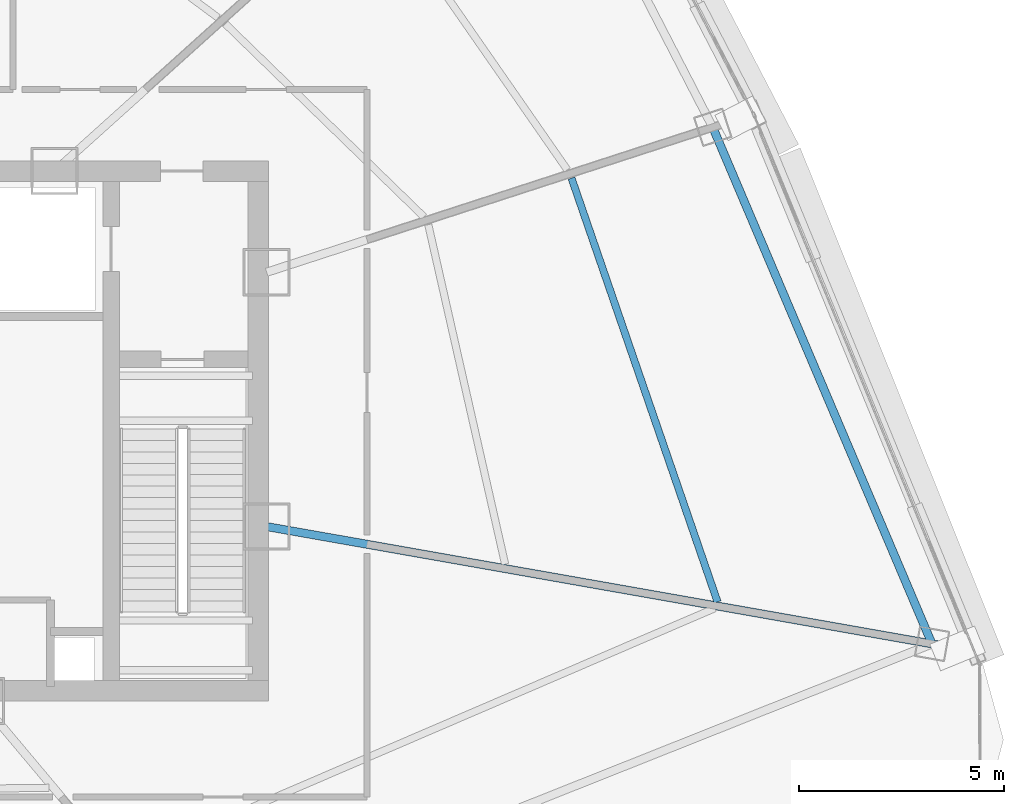
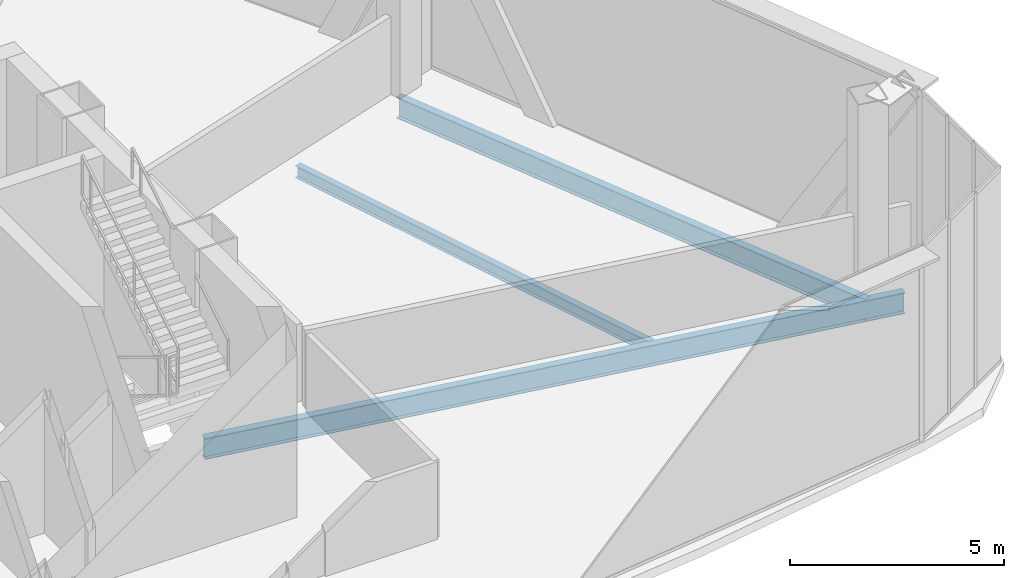
# One storey, part 15 of 33: 3 beams.
"""IFC4 building model written with IfcOpenShell, lengths in metres."""

from ifc_helpers import new_model, si_unit, direction, frame, origin, origin_2d, place, context, subcontext, project, spatial, i_section, extrude, source, transform, mapped, material, material_profile, profile_set, type_object, element, save


model = new_model("IFC4")

# Units and contexts
model_context = context("Model", 3, precision=1e-05, world=origin(), true_north=direction((0.0, 1.0)))
body_context = subcontext(model_context, "Body", "Model", "MODEL_VIEW")
ifc_project = project(units=[si_unit("LENGTHUNIT", "METRE"), si_unit("AREAUNIT", "SQUARE_METRE"), si_unit("VOLUMEUNIT", "CUBIC_METRE"), si_unit("PLANEANGLEUNIT", "RADIAN"), si_unit("MASSUNIT", "GRAM", prefix="KILO"), si_unit("THERMODYNAMICTEMPERATUREUNIT", "KELVIN"), si_unit("POWERUNIT", "WATT")], contexts=[model_context])

# Site, building, storey
site_placement = place(None, origin())
site = spatial("IfcSite", under=ifc_project, at=site_placement, CompositionType="ELEMENT")
building_placement = place(site_placement, origin())
building = spatial("IfcBuilding", under=site, at=building_placement, Name="Yunzhuo Pagoda Commons", CompositionType="ELEMENT")
storey_placement = place(building_placement, frame((0.0, 0.0, 314.860107421875)))
storey = spatial("IfcBuildingStorey", under=building, at=storey_placement, Name="L79", CompositionType="ELEMENT", Elevation=314.860107421875)

# Beams
ifc_material = material(Name="Structural steel Q355B", Category="steel")
ifc_material_profile_1 = material_profile(ifc_material, i_section(OverallWidth=0.199951171875, OverallDepth=0.60009765625, WebThickness=0.010986328125, FlangeThickness=0.01708984375, at=origin_2d()), Name="Structural steel Q355B")
ifc_profile_set_1 = profile_set([ifc_material_profile_1], Name="Structural steel Q355B")
beam_type_1 = type_object("IfcBeamType", Name="B-RG3 Beam HN 600x200x11x17", PredefinedType="BEAM", material=ifc_profile_set_1)
shared_shape_1 = source(origin(), body_context, "Body", "SweptSolid", [
    extrude(i_section(OverallWidth=0.199951171875, OverallDepth=0.60009765625, WebThickness=0.010986328125, FlangeThickness=0.01708984375, at=origin_2d()), origin(), (0.0, 0.0, 1.0), 13.715576171875),
])
beam_1_placement = place(storey_placement, frame((76.66162109375, 28.646240234375, -0.56005859375), z_axis=(-0.390733146992, 0.920503996646, 0.0), x_axis=(-0.920503996646, -0.390733146992, 0.0)))
element("IfcBeam", 1, at=beam_1_placement, inside=storey, type_object=beam_type_1, Name="L79 column-ring beam 5", PredefinedType="BEAM", context=body_context, shape_type="MappedRepresentation", body=[
    mapped(shared_shape_1, transform((0.0, 0.0, 0.0), scale=1.0)),
])
ifc_material_profile_2 = material_profile(ifc_material, i_section(OverallWidth=0.175048828125, OverallDepth=0.35009765625, WebThickness=0.007080078125, FlangeThickness=0.010986328125, at=origin_2d()), Name="Structural steel Q355B")
ifc_profile_set_2 = profile_set([ifc_material_profile_2], Name="Structural steel Q355B")
beam_type_2 = type_object("IfcBeamType", Name="B-JS2 Joist HN 350x175x7x11", PredefinedType="JOIST", material=ifc_profile_set_2)
shared_shape_2 = source(origin(), body_context, "Body", "SweptSolid", [
    extrude(i_section(OverallWidth=0.175048828125, OverallDepth=0.35009765625, WebThickness=0.007080078125, FlangeThickness=0.010986328125, at=origin_2d()), origin(), (0.0, 0.0, 1.0), 10.954345703125),
])
beam_2_placement = place(storey_placement, frame((71.42041015625, 29.672607421875, -0.43505859375), z_axis=(-0.325839571137, 0.945425075763, 0.0), x_axis=(-0.945425075763, -0.325839571137, 0.0)))
element("IfcBeam", 2, at=beam_2_placement, inside=storey, type_object=beam_type_2, Name="L79 composite ring joist 2.5", PredefinedType="JOIST", context=body_context, shape_type="MappedRepresentation", body=[
    mapped(shared_shape_2, transform((0.0, 0.0, 0.0), scale=1.0)),
])
shared_shape_3 = source(origin(), body_context, "Body", "SweptSolid", [
    extrude(i_section(OverallWidth=0.199951171875, OverallDepth=0.60009765625, WebThickness=0.010986328125, FlangeThickness=0.01708984375, at=origin_2d()), origin(), (0.0, 0.0, 1.0), 17.40771484375),
])
beam_3_placement = place(storey_placement, frame((77.543212890625, 28.49072265625, -0.56005859375), z_axis=(-0.984808962394, 0.17364131878, 0.0), x_axis=(-0.17364131878, -0.984808962394, 0.0)))
element("IfcBeam", 3, at=beam_3_placement, inside=storey, type_object=beam_type_1, Name="L79 radial floor girder F2C1", PredefinedType="BEAM", context=body_context, shape_type="MappedRepresentation", body=[
    mapped(shared_shape_3, transform((0.0, 0.0, 0.0), scale=1.0)),
])

save(model, "model.ifc")
